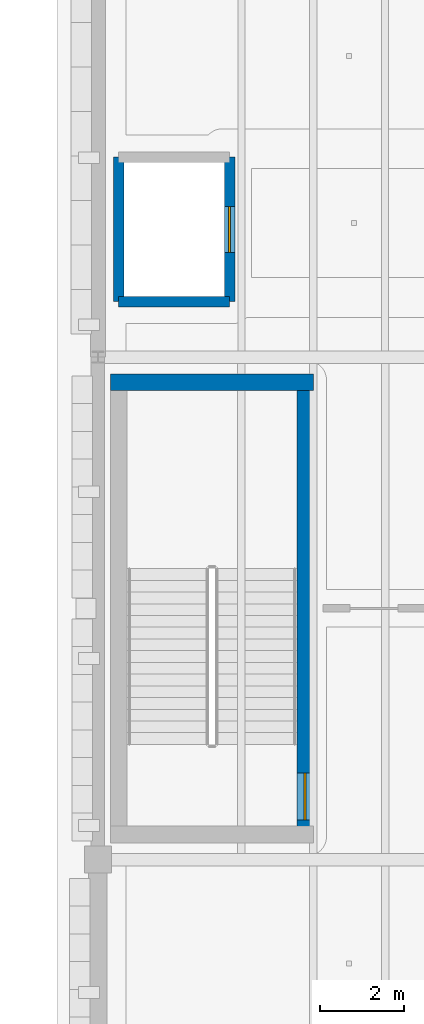
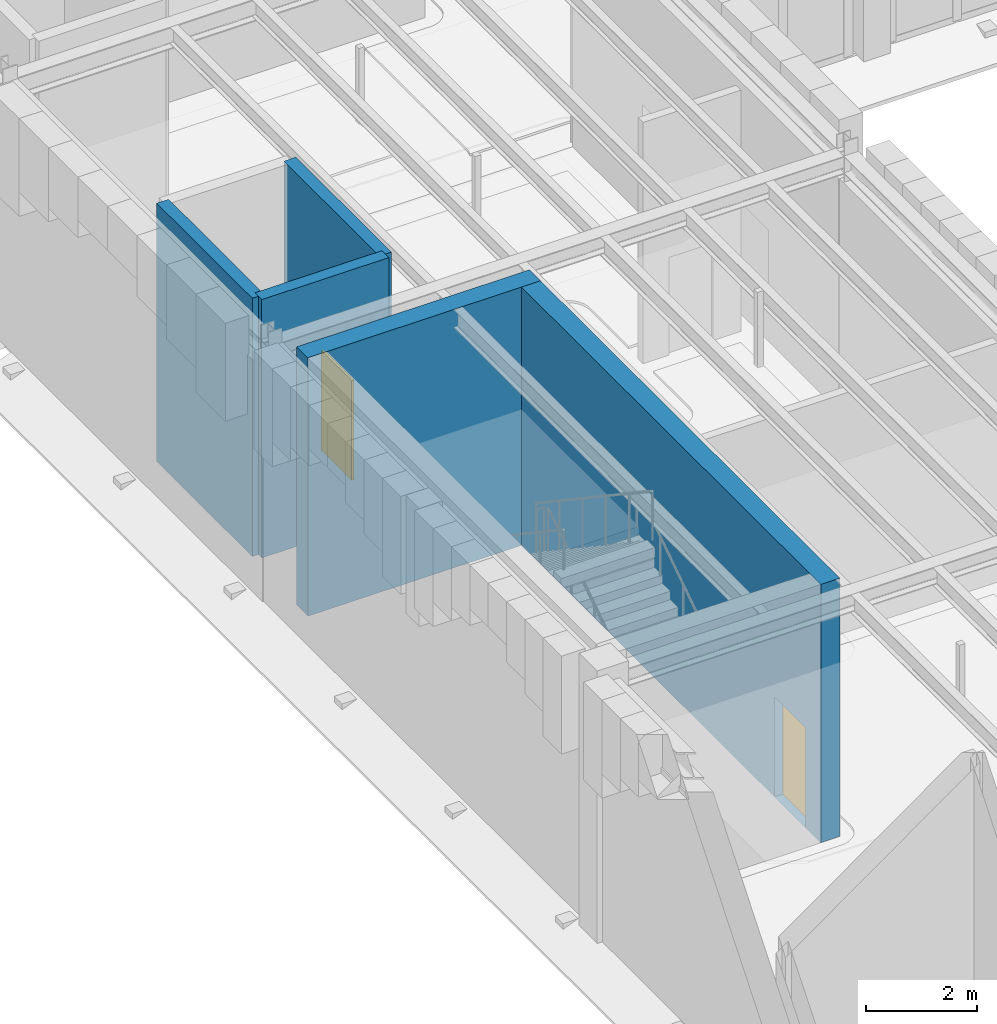
# One storey, part 45 of 83: 5 walls, 2 doors, 2 openings.
"""IFC4 building model written with IfcOpenShell, lengths in metres."""

from ifc_helpers import new_model, si_unit, direction, frame, frame_2d, origin, place, context, subcontext, project, spatial, rectangle, extrude, material, layer, layer_set, type_object, element, fill, save


model = new_model("IFC4")

# Units and contexts
model_context = context("Model", 3, precision=1e-05, world=origin(), true_north=direction((0.0, 1.0)))
body_context = subcontext(model_context, "Body", "Model", "MODEL_VIEW")
ifc_project = project(units=[si_unit("LENGTHUNIT", "METRE"), si_unit("AREAUNIT", "SQUARE_METRE"), si_unit("VOLUMEUNIT", "CUBIC_METRE"), si_unit("PLANEANGLEUNIT", "RADIAN"), si_unit("MASSUNIT", "GRAM", prefix="KILO")], contexts=[model_context])

# Site, building, storey
site_placement = place(None, origin())
site = spatial("IfcSite", under=ifc_project, at=site_placement, CompositionType="ELEMENT")
building_placement = place(site_placement, origin())
building = spatial("IfcBuilding", under=site, at=building_placement, Name="Zlatogorsky Bluff Art Gallery", CompositionType="ELEMENT")
storey_placement = place(building_placement, frame((0.0, 0.0, 10.800048828125)))
storey = spatial("IfcBuildingStorey", under=building, at=storey_placement, Name="L02", CompositionType="ELEMENT", Elevation=10.800048828125)

# Wall
ifc_material_1 = material(Name="Concrete C35/45", Category="concrete")
ifc_layer_1 = layer(ifc_material_1, 0.25)
ifc_layer_set_1 = layer_set([ifc_layer_1], Name="Interior Wall IW-05 250mm")
wall_type_1 = type_object("IfcWallType", Name="Interior Wall IW-05 250mm", PredefinedType="SOLIDWALL", material=ifc_layer_set_1)
wall_1_placement = place(storey_placement, frame((120.4951171875, 75.72509765625, 0.0), z_axis=(0.0, 0.0, 1.0), x_axis=(1.0, 0.0, 0.0)))
element("IfcWall", 1, at=wall_1_placement, inside=storey, type_object=wall_type_1, Name="Lift FL-1 shaft wall L02 S", PredefinedType="SOLIDWALL", context=body_context, shape_type="SweptSolid", body=[
    extrude(rectangle(XDim=2.64990234375, YDim=0.25, at=frame_2d((1.324951171875, 0.0))), origin(), (0.0, 0.0, 1.0), 5.68994140625),
])

# Wall, opening, door
wall_2_placement = place(storey_placement, frame((123.14501953125, 75.72509765625, 0.0), z_axis=(0.0, 0.0, 1.0), x_axis=(0.0, 1.0, 0.0)))
wall_2 = element("IfcWall", 2, at=wall_2_placement, inside=storey, type_object=wall_type_1, Name="Lift FL-1 shaft wall L02 E", PredefinedType="SOLIDWALL", context=body_context, shape_type="SweptSolid", body=[
    extrude(rectangle(XDim=3.449951171875, YDim=0.25, at=frame_2d((1.72509765625, 0.0))), origin(), (0.0, 0.0, 1.0), 5.68994140625),
])
opening_1_placement = place(wall_2_placement, frame((1.175048828125, 0.0, 0.0)))
opening_1 = element("IfcOpeningElement", 3, at=opening_1_placement, cuts=wall_2, Name="Opening LD-01", PredefinedType="OPENING", context=body_context, shape_type="SweptSolid", body=[
    extrude(rectangle(XDim=1.10009765625, YDim=2.199951171875, at=frame_2d((0.550048828125, 1.10009765625))), frame((0.0, 0.135009765625, 0.0), z_axis=(0.0, -1.0, 0.0), x_axis=(1.0, 0.0, 0.0)), (0.0, 0.0, 1.0), 0.27001953125),
])
ifc_material_2 = material(Name="Anodised Aluminium and Laminated Timber", Category="wood")
door_type_1 = type_object("IfcDoorType", Name="Interior Door LD-01 1100x2200", OperationType="SLIDING_TO_LEFT", PredefinedType="DOOR", material=ifc_material_2)
door_1_placement = place(opening_1_placement, origin())
door_1 = element("IfcDoor", 4, at=door_1_placement, inside=storey, type_object=door_type_1, Name="Lift FL-1 sliding landing door L02", OperationType="SLIDING_TO_LEFT", OverallHeight=2.199951171875, OverallWidth=1.10009765625, PredefinedType="DOOR", context=body_context, shape_type="SweptSolid", body=[
    extrude(rectangle(XDim=1.10009765625, YDim=2.199951171875, at=frame_2d((0.550048828125, 1.10009765625))), frame((0.0, 0.02490234375, 0.0), z_axis=(0.0, -1.0, 0.0), x_axis=(1.0, 0.0, 0.0)), (0.0, 0.0, 1.0), 0.050048828125),
])
fill(opening_1, door_1)

# Wall
wall_3_placement = place(storey_placement, frame((120.4951171875, 79.175048828125, 0.0), z_axis=(0.0, 0.0, 1.0), x_axis=(0.0, -1.0, 0.0)))
element("IfcWall", 5, at=wall_3_placement, inside=storey, type_object=wall_type_1, Name="Lift FL-1 shaft wall L02 W", PredefinedType="SOLIDWALL", context=body_context, shape_type="SweptSolid", body=[
    extrude(rectangle(XDim=3.449951171875, YDim=0.25, at=frame_2d((1.72509765625, 0.0))), origin(), (0.0, 0.0, 1.0), 5.68994140625),
])

# Wall, opening, door
ifc_layer_2 = layer(ifc_material_1, 0.39990234375)
ifc_layer_set_2 = layer_set([ifc_layer_2], Name="Interior Wall SW-03 400mm")
wall_type_2 = type_object("IfcWallType", Name="Interior Wall SW-03 400mm", PredefinedType="SHEAR", material=ifc_layer_set_2)
wall_4_placement = place(storey_placement, frame((124.949951171875, 62.800048828125, 0.0), z_axis=(0.0, 0.0, 1.0), x_axis=(0.0, 1.0, 0.0)))
wall_4 = element("IfcWall", 6, at=wall_4_placement, inside=storey, type_object=wall_type_2, Name="Stair ST-06 enclosure wall L02 W0", PredefinedType="SHEAR", context=body_context, shape_type="SweptSolid", body=[
    extrude(rectangle(XDim=11.199951171875, YDim=0.39990234375, at=frame_2d((5.60009765625, 0.0))), origin(), (0.0, 0.0, 1.0), 5.68994140625),
])
opening_2_placement = place(wall_4_placement, frame((0.550048828125, 0.0, 0.0)))
opening_2 = element("IfcOpeningElement", 7, at=opening_2_placement, cuts=wall_4, Name="Opening FD-01", PredefinedType="OPENING", context=body_context, shape_type="SweptSolid", body=[
    extrude(rectangle(XDim=1.1201171875, YDim=2.199951171875, at=frame_2d((0.56005859375, 1.10009765625))), frame((0.0, 0.2099609375, 0.0), z_axis=(0.0, -1.0, 0.0), x_axis=(1.0, 0.0, 0.0)), (0.0, 0.0, 1.0), 0.419921875),
])
door_type_2 = type_object("IfcDoorType", Name="Interior Door FD-01 1120x2200", OperationType="SINGLE_SWING_LEFT", PredefinedType="DOOR", material=ifc_material_2)
door_2_placement = place(opening_2_placement, origin())
door_2 = element("IfcDoor", 8, at=door_2_placement, inside=storey, type_object=door_type_2, Name="Stair ST-06 fire door L02", OperationType="SINGLE_SWING_RIGHT", OverallHeight=2.199951171875, OverallWidth=1.1201171875, PredefinedType="DOOR", context=body_context, shape_type="SweptSolid", body=[
    extrude(rectangle(XDim=1.1201171875, YDim=2.199951171875, at=frame_2d((0.56005859375, 1.10009765625))), frame((0.0, 0.02490234375, 0.0), z_axis=(0.0, -1.0, 0.0), x_axis=(1.0, 0.0, 0.0)), (0.0, 0.0, 1.0), 0.050048828125),
])
fill(opening_2, door_2)

# Wall
wall_5_placement = place(storey_placement, frame((125.14990234375, 73.800048828125, 0.0), z_axis=(0.0, 0.0, 1.0), x_axis=(-1.0, 0.0, 0.0)))
element("IfcWall", 9, at=wall_5_placement, inside=storey, type_object=wall_type_2, Name="Stair ST-06 enclosure wall L02 FEND", PredefinedType="SHEAR", context=body_context, shape_type="SweptSolid", body=[
    extrude(rectangle(XDim=4.849853515625, YDim=0.39990234375, at=frame_2d((2.4248046875, 0.0))), origin(), (0.0, 0.0, 1.0), 5.68994140625),
])

save(model, "model.ifc")
